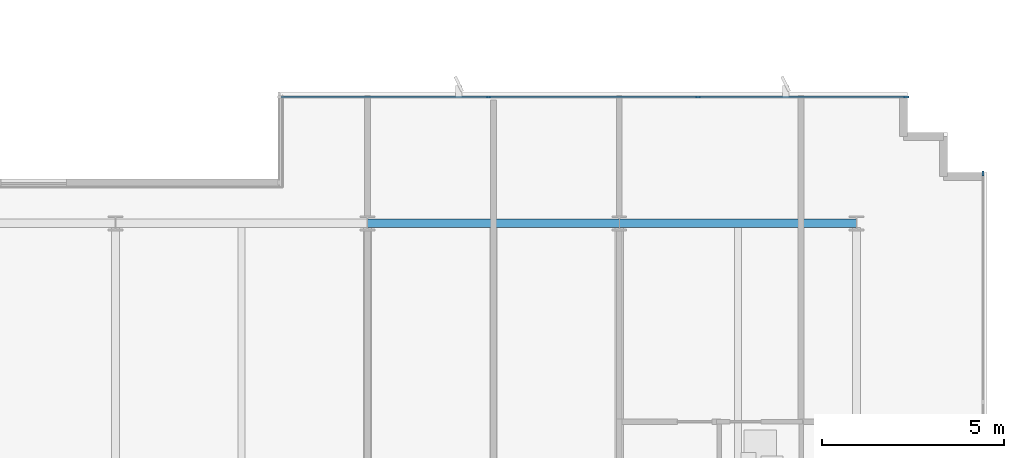
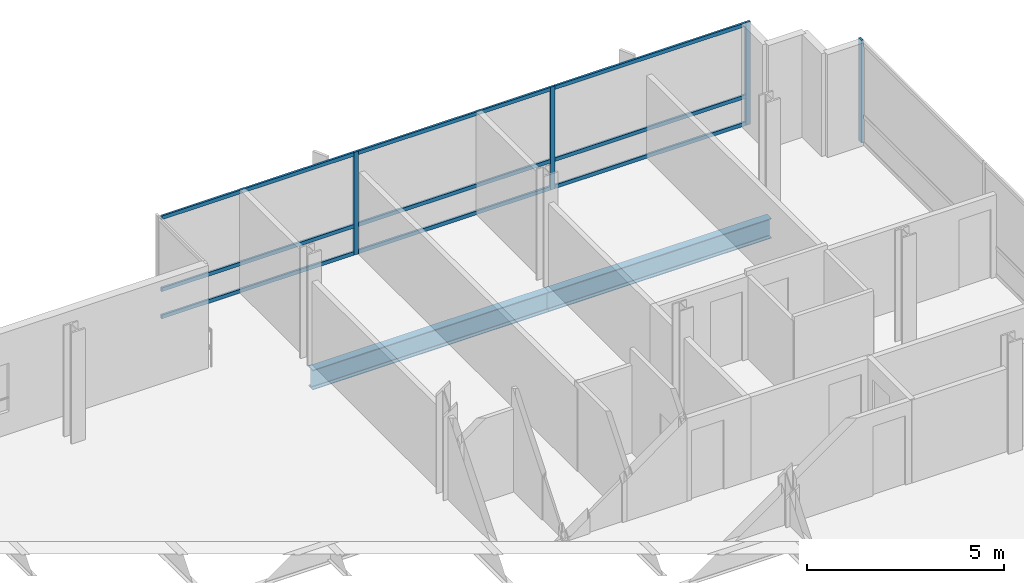
# One storey, part 9 of 17: 13 members, 2 beams, 2 elements without a shape of their own.
"""IFC4 building model written with IfcOpenShell, lengths in metres."""

from ifc_helpers import new_model, si_unit, direction, frame, origin, origin_2d, place, context, subcontext, project, spatial, rectangle, i_section, extrude, material, material_profile, profile_set, type_object, element, aggregate, save


model = new_model("IFC4")

# Units and contexts
model_context = context("Model", 3, precision=1e-05, world=origin(), true_north=direction((0.0, 1.0)))
body_context = subcontext(model_context, "Body", "Model", "MODEL_VIEW")
ifc_project = project(units=[si_unit("LENGTHUNIT", "METRE"), si_unit("AREAUNIT", "SQUARE_METRE"), si_unit("VOLUMEUNIT", "CUBIC_METRE"), si_unit("PLANEANGLEUNIT", "RADIAN"), si_unit("MASSUNIT", "GRAM", prefix="KILO")], contexts=[model_context])

# Site, building, storey
site_placement = place(None, origin())
site = spatial("IfcSite", under=ifc_project, at=site_placement, CompositionType="ELEMENT")
building_placement = place(site_placement, origin())
building = spatial("IfcBuilding", under=site, at=building_placement, Name="Solmavex Isthmus Hotel", CompositionType="ELEMENT")
storey_placement = place(building_placement, frame((0.0, 0.0, 269.550048828125)))
storey = spatial("IfcBuildingStorey", under=building, at=storey_placement, Name="L73", CompositionType="ELEMENT", Elevation=269.550048828125)

# Beams
ifc_material_1 = material(Name="Steel ASTM A992 Grade 50", Category="steel")
ifc_material_profile_1 = material_profile(ifc_material_1, i_section(OverallWidth=0.230224609375, OverallDepth=0.617431640625, WebThickness=0.01318359375, FlangeThickness=0.022216796875, FilletRadius=0.01513671875, at=origin_2d()), Name="W24X94")
ifc_profile_set_1 = profile_set([ifc_material_profile_1], Name="Steel ASTM A992 Grade 50")
beam_type = type_object("IfcBeamType", Name="BM-SP-W24X94", PredefinedType="SPANDREL", material=ifc_profile_set_1)
beam_1_placement = place(storey_placement, frame((6.93603515625, 17.699951171875, -0.56884765625), z_axis=(1.0, 0.0, 0.0), x_axis=(0.0, 1.0, 0.0)))
element("IfcBeam", 1, at=beam_1_placement, inside=storey, type_object=beam_type, Name="Floor Girder L73-UG19", PredefinedType="SPANDREL", context=body_context, shape_type="SweptSolid", body=[
    extrude(i_section(OverallWidth=0.230224609375, OverallDepth=0.617431640625, WebThickness=0.01318359375, FlangeThickness=0.022216796875, FilletRadius=0.01513671875, at=origin_2d()), origin(), (0.0, 0.0, 1.0), 6.93603515625),
])
beam_2_placement = place(storey_placement, frame((13.8720703125, 17.699951171875, -0.56884765625), z_axis=(1.0, 0.0, 0.0), x_axis=(0.0, 1.0, 0.0)))
element("IfcBeam", 2, at=beam_2_placement, inside=storey, type_object=beam_type, Name="Floor Girder L73-UG20", PredefinedType="SPANDREL", context=body_context, shape_type="SweptSolid", body=[
    extrude(i_section(OverallWidth=0.230224609375, OverallDepth=0.617431640625, WebThickness=0.01318359375, FlangeThickness=0.022216796875, FilletRadius=0.01513671875, at=origin_2d()), origin(), (0.0, 0.0, 1.0), 6.52783203125),
])

# Curtain wall, members
ifc_material_2 = material(Name="Aluminium alloy 6063-T6", Category="aluminium")
curtain_wall_type = type_object("IfcCurtainWallType", Name="CW-SYS-06", PredefinedType="NOTDEFINED", material=ifc_material_2)
curtain_wall_1_placement = place(storey_placement, origin())
curtain_wall_1 = element("IfcCurtainWall", 3, at=curtain_wall_1_placement, inside=storey, type_object=curtain_wall_type, Name="Stick Curtain Wall CWL-L73-N3", PredefinedType="NOTDEFINED")
ifc_material_profile_2 = material_profile(ifc_material_2, rectangle(XDim=0.06005859375, YDim=0.139892578125, at=origin_2d()), Name="CWM-60X140")
ifc_profile_set_2 = profile_set([ifc_material_profile_2], Name="Aluminium alloy 6063-T6")
member_type_1 = type_object("IfcMemberType", Name="CW-SYS-06-MUL", PredefinedType="MULLION", material=ifc_profile_set_2)
member_1_placement = place(storey_placement, frame((10.2666015625, 21.179931640625, 0.0), z_axis=(0.0, 0.0, 1.0), x_axis=(0.0, 1.0, 0.0)))
member_1 = element("IfcMember", 4, at=member_1_placement, type_object=member_type_1, Name="CW-06 mullion 2", PredefinedType="MULLION", context=body_context, shape_type="SweptSolid", body=[
    extrude(rectangle(XDim=0.06005859375, YDim=0.139892578125, at=origin_2d()), origin(), (0.0, 0.0, 1.0), 3.18994140625),
])
member_2_placement = place(storey_placement, frame((16.033447265625, 21.179931640625, 0.0), z_axis=(0.0, 0.0, 1.0), x_axis=(0.0, 1.0, 0.0)))
member_2 = element("IfcMember", 5, at=member_2_placement, type_object=member_type_1, Name="CW-06 mullion 3", PredefinedType="MULLION", context=body_context, shape_type="SweptSolid", body=[
    extrude(rectangle(XDim=0.06005859375, YDim=0.139892578125, at=origin_2d()), origin(), (0.0, 0.0, 1.0), 3.18994140625),
])
member_3_placement = place(storey_placement, frame((21.77001953125, 21.179931640625, 0.0), z_axis=(0.0, 0.0, 1.0), x_axis=(0.0, 1.0, 0.0)))
member_3 = element("IfcMember", 6, at=member_3_placement, type_object=member_type_1, Name="CW-06 mullion 4", PredefinedType="MULLION", context=body_context, shape_type="SweptSolid", body=[
    extrude(rectangle(XDim=0.06005859375, YDim=0.139892578125, at=origin_2d()), origin(), (0.0, 0.0, 1.0), 3.18994140625),
])

# Curtain wall, member
curtain_wall_2_placement = place(storey_placement, origin())
curtain_wall_2 = element("IfcCurtainWall", 7, at=curtain_wall_2_placement, inside=storey, type_object=curtain_wall_type, Name="Stick Curtain Wall CWL-L73-E1", PredefinedType="NOTDEFINED")
member_4_placement = place(storey_placement, frame((23.8798828125, 19.070068359375, 0.0), z_axis=(0.0, 0.0, 1.0), x_axis=(-1.0, 0.0, 0.0)))
member_4 = element("IfcMember", 8, at=member_4_placement, type_object=member_type_1, Name="CW-06 mullion 6", PredefinedType="MULLION", context=body_context, shape_type="SweptSolid", body=[
    extrude(rectangle(XDim=0.06005859375, YDim=0.139892578125, at=origin_2d()), origin(), (0.0, 0.0, 1.0), 3.18994140625),
])
aggregate(curtain_wall_2, [member_4])

# Member
ifc_material_profile_3 = material_profile(ifc_material_2, rectangle(XDim=0.06005859375, YDim=0.114990234375, at=origin_2d()), Name="CWT-60X115")
ifc_profile_set_3 = profile_set([ifc_material_profile_3], Name="Aluminium alloy 6063-T6")
member_type_2 = type_object("IfcMemberType", Name="CW-SYS-06-TRN", PredefinedType="USERDEFINED", material=ifc_profile_set_3)
member_5_placement = place(storey_placement, frame((4.56005859375, 21.179931640625, 0.057373046875), z_axis=(1.0, 0.0, 0.0), x_axis=(0.0, 1.0, 0.0)))
member_5 = element("IfcMember", 9, at=member_5_placement, type_object=member_type_2, Name="CW-06 transom 1.1", ObjectType="TRANSOM", PredefinedType="USERDEFINED", context=body_context, shape_type="SweptSolid", body=[
    extrude(rectangle(XDim=0.06005859375, YDim=0.114990234375, at=origin_2d()), origin(), (0.0, 0.0, 1.0), 5.676513671875),
])

member_6_placement = place(storey_placement, frame((4.56005859375, 21.179931640625, 0.89990234375), z_axis=(1.0, 0.0, 0.0), x_axis=(0.0, 1.0, 0.0)))
member_6 = element("IfcMember", 10, at=member_6_placement, type_object=member_type_2, Name="CW-06 transom 1.2", ObjectType="TRANSOM", PredefinedType="USERDEFINED", context=body_context, shape_type="SweptSolid", body=[
    extrude(rectangle(XDim=0.06005859375, YDim=0.114990234375, at=origin_2d()), origin(), (0.0, 0.0, 1.0), 5.676513671875),
])

member_7_placement = place(storey_placement, frame((4.56005859375, 21.179931640625, 3.132568359375), z_axis=(1.0, 0.0, 0.0), x_axis=(0.0, 1.0, 0.0)))
member_7 = element("IfcMember", 11, at=member_7_placement, type_object=member_type_2, Name="CW-06 transom 1.3", ObjectType="TRANSOM", PredefinedType="USERDEFINED", context=body_context, shape_type="SweptSolid", body=[
    extrude(rectangle(XDim=0.06005859375, YDim=0.114990234375, at=origin_2d()), origin(), (0.0, 0.0, 1.0), 5.676513671875),
])

member_8_placement = place(storey_placement, frame((10.296630859375, 21.179931640625, 0.057373046875), z_axis=(1.0, 0.0, 0.0), x_axis=(0.0, 1.0, 0.0)))
member_8 = element("IfcMember", 12, at=member_8_placement, type_object=member_type_2, Name="CW-06 transom 2.1", ObjectType="TRANSOM", PredefinedType="USERDEFINED", context=body_context, shape_type="SweptSolid", body=[
    extrude(rectangle(XDim=0.06005859375, YDim=0.114990234375, at=origin_2d()), origin(), (0.0, 0.0, 1.0), 5.706787109375),
])

member_9_placement = place(storey_placement, frame((10.296630859375, 21.179931640625, 0.89990234375), z_axis=(1.0, 0.0, 0.0), x_axis=(0.0, 1.0, 0.0)))
member_9 = element("IfcMember", 13, at=member_9_placement, type_object=member_type_2, Name="CW-06 transom 2.2", ObjectType="TRANSOM", PredefinedType="USERDEFINED", context=body_context, shape_type="SweptSolid", body=[
    extrude(rectangle(XDim=0.06005859375, YDim=0.114990234375, at=origin_2d()), origin(), (0.0, 0.0, 1.0), 5.706787109375),
])

member_10_placement = place(storey_placement, frame((10.296630859375, 21.179931640625, 3.132568359375), z_axis=(1.0, 0.0, 0.0), x_axis=(0.0, 1.0, 0.0)))
member_10 = element("IfcMember", 14, at=member_10_placement, type_object=member_type_2, Name="CW-06 transom 2.3", ObjectType="TRANSOM", PredefinedType="USERDEFINED", context=body_context, shape_type="SweptSolid", body=[
    extrude(rectangle(XDim=0.06005859375, YDim=0.114990234375, at=origin_2d()), origin(), (0.0, 0.0, 1.0), 5.706787109375),
])

member_11_placement = place(storey_placement, frame((16.063232421875, 21.179931640625, 0.057373046875), z_axis=(1.0, 0.0, 0.0), x_axis=(0.0, 1.0, 0.0)))
member_11 = element("IfcMember", 15, at=member_11_placement, type_object=member_type_2, Name="CW-06 transom 3.1", ObjectType="TRANSOM", PredefinedType="USERDEFINED", context=body_context, shape_type="SweptSolid", body=[
    extrude(rectangle(XDim=0.06005859375, YDim=0.114990234375, at=origin_2d()), origin(), (0.0, 0.0, 1.0), 5.6767578125),
])

member_12_placement = place(storey_placement, frame((16.063232421875, 21.179931640625, 0.89990234375), z_axis=(1.0, 0.0, 0.0), x_axis=(0.0, 1.0, 0.0)))
member_12 = element("IfcMember", 16, at=member_12_placement, type_object=member_type_2, Name="CW-06 transom 3.2", ObjectType="TRANSOM", PredefinedType="USERDEFINED", context=body_context, shape_type="SweptSolid", body=[
    extrude(rectangle(XDim=0.06005859375, YDim=0.114990234375, at=origin_2d()), origin(), (0.0, 0.0, 1.0), 5.6767578125),
])

member_13_placement = place(storey_placement, frame((16.063232421875, 21.179931640625, 3.132568359375), z_axis=(1.0, 0.0, 0.0), x_axis=(0.0, 1.0, 0.0)))
member_13 = element("IfcMember", 17, at=member_13_placement, type_object=member_type_2, Name="CW-06 transom 3.3", ObjectType="TRANSOM", PredefinedType="USERDEFINED", context=body_context, shape_type="SweptSolid", body=[
    extrude(rectangle(XDim=0.06005859375, YDim=0.114990234375, at=origin_2d()), origin(), (0.0, 0.0, 1.0), 5.6767578125),
])

aggregate(curtain_wall_1, [member_1, member_2, member_3, member_5, member_6, member_7, member_8, member_9, member_10, member_11, member_12, member_13])

save(model, "model.ifc")
